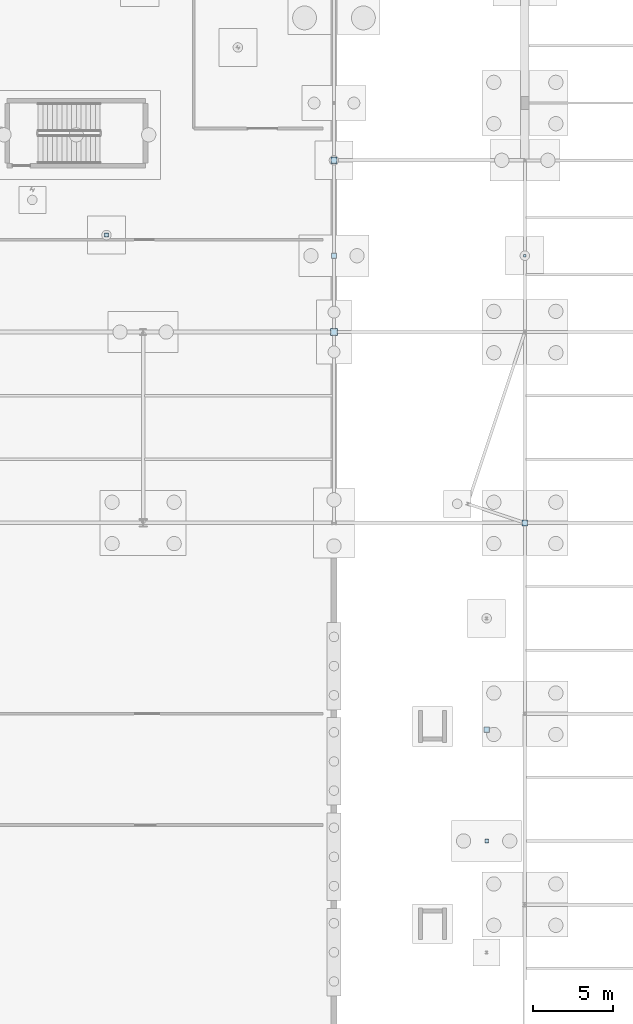
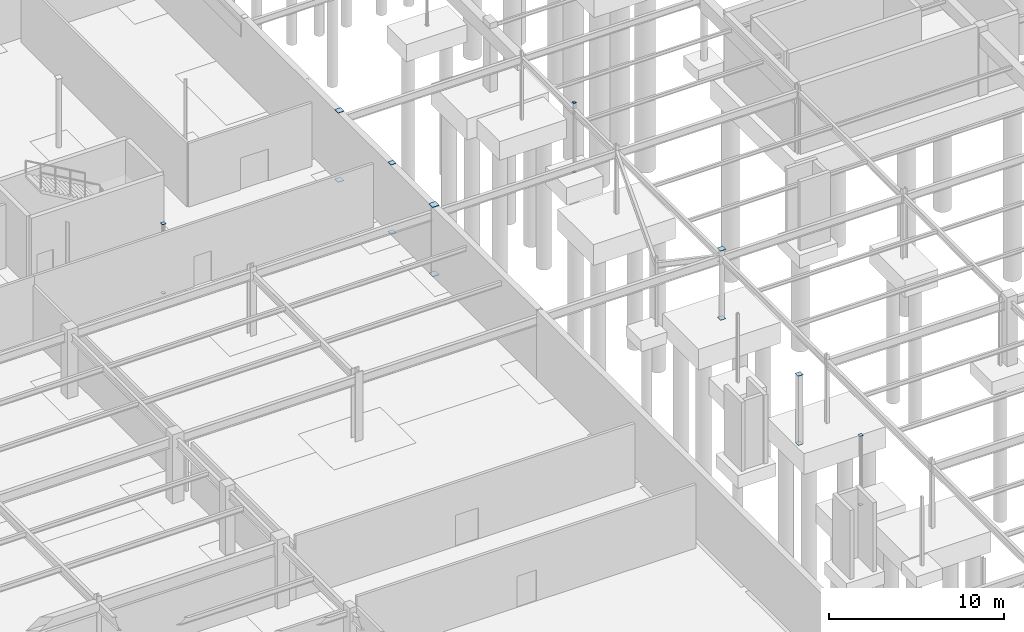
# One storey, part 108 of 136: 16 plates.
"""IFC4 building model written with IfcOpenShell, lengths in metres."""

from ifc_helpers import new_model, si_unit, direction, frame, origin, origin_2d, place, context, subcontext, project, spatial, rectangle, extrude, material, layer, layer_set, type_object, element, save


model = new_model("IFC4")

# Units and contexts
model_context = context("Model", 3, precision=1e-05, world=origin(), true_north=direction((0.0, 1.0)))
body_context = subcontext(model_context, "Body", "Model", "MODEL_VIEW")
ifc_project = project(units=[si_unit("LENGTHUNIT", "METRE"), si_unit("AREAUNIT", "SQUARE_METRE"), si_unit("VOLUMEUNIT", "CUBIC_METRE"), si_unit("PLANEANGLEUNIT", "RADIAN"), si_unit("MASSUNIT", "GRAM", prefix="KILO")], contexts=[model_context])

# Site, building, storey
site_placement = place(None, origin())
site = spatial("IfcSite", under=ifc_project, at=site_placement, CompositionType="ELEMENT")
building_placement = place(site_placement, origin())
building = spatial("IfcBuilding", under=site, at=building_placement, Name="Tarnwether General Hospital", CompositionType="ELEMENT")
storey_placement = place(building_placement, frame((0.0, 0.0, -4.800048828125)))
storey = spatial("IfcBuildingStorey", under=building, at=storey_placement, Name="LG", CompositionType="ELEMENT", Elevation=-4.800048828125)

# Plates
ifc_material = material(Name="Steel Grade 350 (350 MPa)", Category="steel")
ifc_layer = layer(ifc_material, 0.02490234375)
ifc_layer_set = layer_set([ifc_layer], Name="Steel Grade 350 (350 MPa)")
plate_type = type_object("IfcPlateType", Name="PT-GUS2", PredefinedType="USERDEFINED", material=ifc_layer_set)
for number, where, z_axis, x_axis, name in (
    (1, (132.0, 93.60009765625, -0.02490234375), (0.0, 0.0, 1.0), (1.0, 0.0, 0.0), "Hollow Section Welded End Cap Plate 0237"),
    (2, (132.0, 93.60009765625, 4.800048828125), (0.0, 0.0, 1.0), (1.0, 0.0, 0.0), "Hollow Section Welded End Cap Plate 0238"),
):
    element("IfcPlate", number, at=place(storey_placement, frame(where, z_axis=z_axis, x_axis=x_axis)), inside=storey, type_object=plate_type, Name=name, ObjectType="GUSSET", PredefinedType="USERDEFINED", context=body_context, shape_type="SweptSolid", body=[
        extrude(rectangle(XDim=0.446044921875, YDim=0.446044921875, at=origin_2d()), origin(), (0.0, 0.0, 1.0), 0.02490234375),
    ])
for number, where, z_axis, x_axis, name in (
    (3, (132.0, 104.39990234375, -0.02490234375), (0.0, 0.0, 1.0), (1.0, 0.0, 0.0), "Hollow Section Welded End Cap Plate 0245"),
    (4, (132.0, 104.39990234375, 4.800048828125), (0.0, 0.0, 1.0), (1.0, 0.0, 0.0), "Hollow Section Welded End Cap Plate 0246"),
):
    element("IfcPlate", number, at=place(storey_placement, frame(where, z_axis=z_axis, x_axis=x_axis)), inside=storey, type_object=plate_type, Name=name, ObjectType="GUSSET", PredefinedType="USERDEFINED", context=body_context, shape_type="SweptSolid", body=[
        extrude(rectangle(XDim=0.39599609375, YDim=0.39599609375, at=origin_2d()), origin(), (0.0, 0.0, 1.0), 0.02490234375),
    ])
for number, where, z_axis, x_axis, name in (
    (5, (144.0, 81.60009765625, -0.02490234375), (0.0, 0.0, 1.0), (1.0, 0.0, 0.0), "Hollow Section Welded End Cap Plate 0287"),
    (6, (144.0, 81.60009765625, 4.800048828125), (0.0, 0.0, 1.0), (1.0, 0.0, 0.0), "Hollow Section Welded End Cap Plate 0288"),
):
    element("IfcPlate", number, at=place(storey_placement, frame(where, z_axis=z_axis, x_axis=x_axis)), inside=storey, type_object=plate_type, Name=name, ObjectType="GUSSET", PredefinedType="USERDEFINED", context=body_context, shape_type="SweptSolid", body=[
        extrude(rectangle(XDim=0.364013671875, YDim=0.364013671875, at=origin_2d()), origin(), (0.0, 0.0, 1.0), 0.02490234375),
    ])
for number, where, z_axis, x_axis, name in (
    (7, (141.60009765625, 61.60009765625, -0.02490234375), (0.0, 0.0, 1.0), (1.0, 0.0, 0.0), "Hollow Section Welded End Cap Plate 0441"),
    (8, (141.60009765625, 61.60009765625, 4.800048828125), (0.0, 0.0, 1.0), (1.0, 0.0, 0.0), "Hollow Section Welded End Cap Plate 0442"),
):
    element("IfcPlate", number, at=place(storey_placement, frame(where, z_axis=z_axis, x_axis=x_axis)), inside=storey, type_object=plate_type, Name=name, ObjectType="GUSSET", PredefinedType="USERDEFINED", context=body_context, shape_type="SweptSolid", body=[
        extrude(rectangle(XDim=0.23388671875, YDim=0.23388671875, at=origin_2d()), origin(), (0.0, 0.0, 1.0), 0.02490234375),
    ])
for number, where, z_axis, x_axis, name in (
    (9, (141.60009765625, 68.60009765625, -0.02490234375), (0.0, 0.0, 1.0), (1.0, 0.0, 0.0), "Hollow Section Welded End Cap Plate 0445"),
    (10, (141.60009765625, 68.60009765625, 4.800048828125), (0.0, 0.0, 1.0), (1.0, 0.0, 0.0), "Hollow Section Welded End Cap Plate 0446"),
):
    element("IfcPlate", number, at=place(storey_placement, frame(where, z_axis=z_axis, x_axis=x_axis)), inside=storey, type_object=plate_type, Name=name, ObjectType="GUSSET", PredefinedType="USERDEFINED", context=body_context, shape_type="SweptSolid", body=[
        extrude(rectangle(XDim=0.340087890625, YDim=0.340087890625, at=origin_2d()), origin(), (0.0, 0.0, 1.0), 0.02490234375),
    ])
for number, where, z_axis, x_axis, name in (
    (11, (117.696044921875, 99.697998046875, -0.02490234375), (0.0, 0.0, 1.0), (1.0, 0.0, 0.0), "Hollow Section Welded End Cap Plate 0605"),
    (12, (117.696044921875, 99.697998046875, 4.800048828125), (0.0, 0.0, 1.0), (1.0, 0.0, 0.0), "Hollow Section Welded End Cap Plate 0606"),
):
    element("IfcPlate", number, at=place(storey_placement, frame(where, z_axis=z_axis, x_axis=x_axis)), inside=storey, type_object=plate_type, Name=name, ObjectType="GUSSET", PredefinedType="USERDEFINED", context=body_context, shape_type="SweptSolid", body=[
        extrude(rectangle(XDim=0.23388671875, YDim=0.23388671875, at=origin_2d()), origin(), (0.0, 0.0, 1.0), 0.02490234375),
    ])
for number, where, z_axis, x_axis, name in (
    (13, (132.0, 98.39990234375, -0.02490234375), (0.0, 0.0, 1.0), (1.0, 0.0, 0.0), "Hollow Section Welded End Cap Plate 0757"),
    (14, (132.0, 98.39990234375, 4.800048828125), (0.0, 0.0, 1.0), (1.0, 0.0, 0.0), "Hollow Section Welded End Cap Plate 0758"),
):
    element("IfcPlate", number, at=place(storey_placement, frame(where, z_axis=z_axis, x_axis=x_axis)), inside=storey, type_object=plate_type, Name=name, ObjectType="GUSSET", PredefinedType="USERDEFINED", context=body_context, shape_type="SweptSolid", body=[
        extrude(rectangle(XDim=0.340087890625, YDim=0.340087890625, at=origin_2d()), origin(), (0.0, 0.0, 1.0), 0.02490234375),
    ])
for number, where, z_axis, x_axis, name in (
    (15, (144.0, 98.39990234375, -0.02490234375), (0.0, 0.0, 1.0), (1.0, 0.0, 0.0), "Hollow Section Welded End Cap Plate 0773"),
    (16, (144.0, 98.39990234375, 4.800048828125), (0.0, 0.0, 1.0), (1.0, 0.0, 0.0), "Hollow Section Welded End Cap Plate 0774"),
):
    element("IfcPlate", number, at=place(storey_placement, frame(where, z_axis=z_axis, x_axis=x_axis)), inside=storey, type_object=plate_type, Name=name, ObjectType="GUSSET", PredefinedType="USERDEFINED", context=body_context, shape_type="SweptSolid", body=[
        extrude(rectangle(XDim=0.1650390625, YDim=0.1650390625, at=origin_2d()), origin(), (0.0, 0.0, 1.0), 0.02490234375),
    ])

save(model, "model.ifc")
